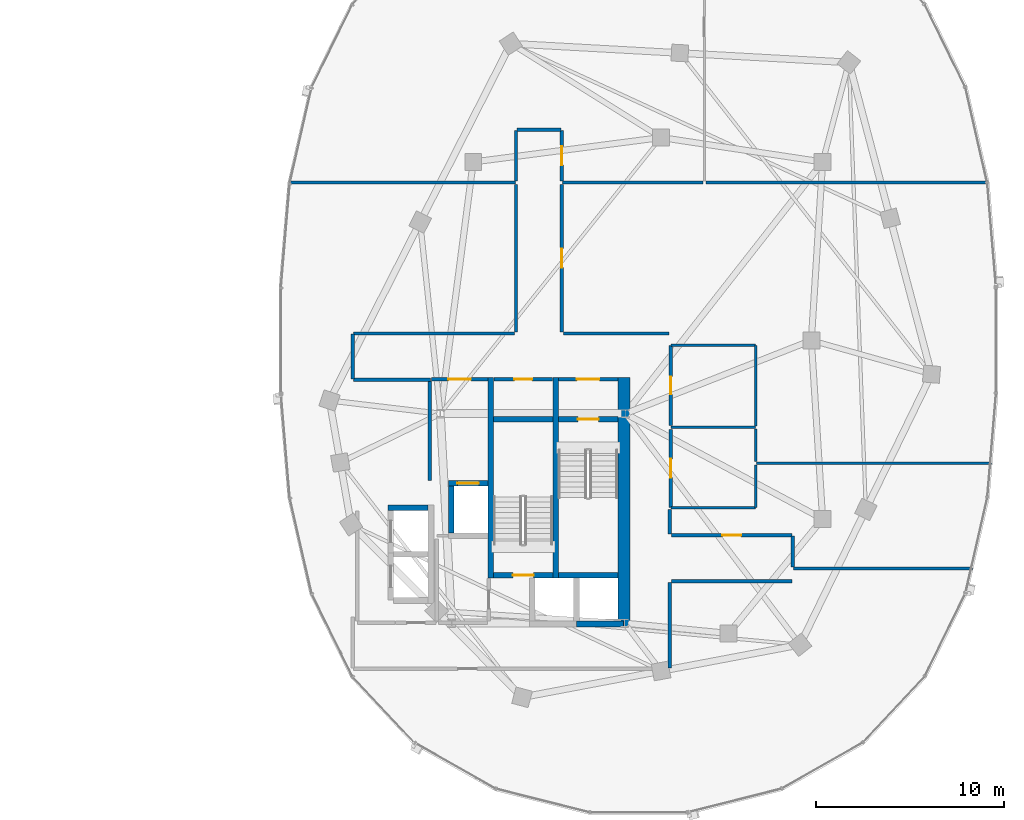
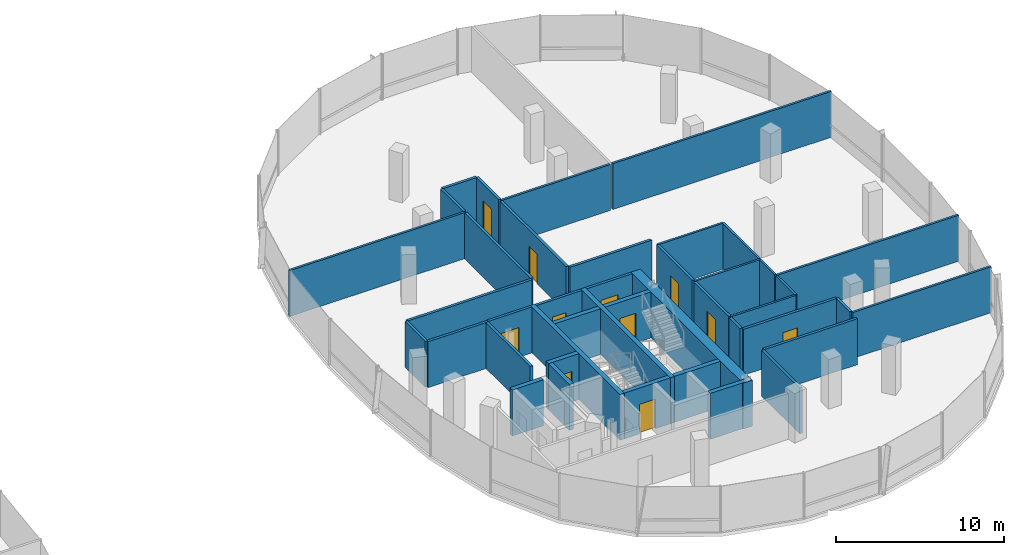
# One storey, part 17 of 25: 42 walls, 11 doors, 11 openings.
"""IFC4 building model written with IfcOpenShell, lengths in metres."""

from ifc_helpers import new_model, si_unit, direction, frame, frame_2d, origin, place, context, subcontext, project, spatial, rectangle, extrude, material, layer, layer_set, type_object, element, fill, save


model = new_model("IFC4")

# Units and contexts
model_context = context("Model", 3, precision=1e-05, world=origin(), true_north=direction((0.0, 1.0)))
body_context = subcontext(model_context, "Body", "Model", "MODEL_VIEW")
ifc_project = project(units=[si_unit("LENGTHUNIT", "METRE"), si_unit("AREAUNIT", "SQUARE_METRE"), si_unit("VOLUMEUNIT", "CUBIC_METRE"), si_unit("PLANEANGLEUNIT", "RADIAN"), si_unit("MASSUNIT", "GRAM", prefix="KILO"), si_unit("THERMODYNAMICTEMPERATUREUNIT", "KELVIN"), si_unit("POWERUNIT", "WATT")], contexts=[model_context])

# Site, building, storey
site_placement = place(None, origin())
site = spatial("IfcSite", under=ifc_project, at=site_placement, CompositionType="ELEMENT")
building_placement = place(site_placement, origin())
building = spatial("IfcBuilding", under=site, at=building_placement, Name="Cundina Bronze Exchange", CompositionType="ELEMENT")
storey_placement = place(building_placement, frame((0.0, 0.0, 202.60009765625)))
storey = spatial("IfcBuildingStorey", under=building, at=storey_placement, Name="L53", CompositionType="ELEMENT", Elevation=202.60009765625)

# Wall
ifc_material_1 = material(Name="Gypsum Fireboard Partition EI120")
ifc_layer_1 = layer(ifc_material_1, 0.179931640625, Name="Gypsum Fireboard Partition EI120")
ifc_layer_set_1 = layer_set([ifc_layer_1], Name="Gypsum Fireboard Partition EI120")
wall_type_1 = type_object("IfcWallType", Name="WL-COR-180", PredefinedType="PARTITIONING", material=ifc_layer_set_1)
wall_1_placement = place(storey_placement, frame((20.889892578125, -7.449951171875, 0.0), z_axis=(0.0, 0.0, 1.0), x_axis=(0.0, 1.0, 0.0)))
element("IfcWall", 1, at=wall_1_placement, inside=storey, type_object=wall_type_1, Name="L53 E Firefighting Lobby Side Wall", PredefinedType="PARTITIONING", context=body_context, shape_type="SweptSolid", body=[
    extrude(rectangle(XDim=5.300048828125, YDim=0.179931640625, at=frame_2d((2.64990234375, 0.0))), origin(), (0.0, 0.0, 1.0), 3.33984375),
])

# Wall, opening, door
wall_2_placement = place(storey_placement, frame((20.97998046875, -2.06005859375, 0.0), z_axis=(0.0, 0.0, 1.0), x_axis=(1.0, 0.0, 0.0)))
wall_2 = element("IfcWall", 2, at=wall_2_placement, inside=storey, type_object=wall_type_1, Name="L53 E Firefighting Lobby Exit Wall", PredefinedType="PARTITIONING", context=body_context, shape_type="SweptSolid", body=[
    extrude(rectangle(XDim=3.0, YDim=0.179931640625, at=frame_2d((1.5, 0.0))), origin(), (0.0, 0.0, 1.0), 3.33984375),
])
opening_1_placement = place(wall_2_placement, frame((0.89990234375, 0.0, 0.0)))
opening_1 = element("IfcOpeningElement", 3, at=opening_1_placement, cuts=wall_2, Name="Opening DF-01", PredefinedType="OPENING", context=body_context, shape_type="SweptSolid", body=[
    extrude(rectangle(XDim=1.199951171875, YDim=2.14990234375, at=frame_2d((0.60009765625, 1.074951171875))), frame((0.0, 0.099853515625, 0.0), z_axis=(0.0, -1.0, 0.0), x_axis=(1.0, 0.0, 0.0)), (0.0, 0.0, 1.0), 0.199951171875),
])
ifc_material_2 = material(Name="Steel ASTM A36 Painted", Category="steel")
door_type_1 = type_object("IfcDoorType", Name="DR-FFL-1200", OperationType="NOTDEFINED", PredefinedType="DOOR", material=ifc_material_2)
door_1_placement = place(opening_1_placement, origin())
door_1 = element("IfcDoor", 4, at=door_1_placement, inside=storey, type_object=door_type_1, Name="L53 E Firefighting Lobby Door", OperationType="SINGLE_SWING_LEFT", OverallHeight=2.14990234375, OverallWidth=1.199951171875, PredefinedType="DOOR", context=body_context, shape_type="SweptSolid", body=[
    extrude(rectangle(XDim=1.199951171875, YDim=2.14990234375, at=frame_2d((0.60009765625, 1.074951171875))), frame((0.0, 0.02490234375, 0.0), z_axis=(0.0, -1.0, 0.0), x_axis=(1.0, 0.0, 0.0)), (0.0, 0.0, 1.0), 0.050048828125),
])
fill(opening_1, door_1)

wall_3_placement = place(storey_placement, frame((27.739990234375, -2.06005859375, 0.0), z_axis=(0.0, 0.0, 1.0), x_axis=(1.0, 0.0, 0.0)))
wall_3 = element("IfcWall", 5, at=wall_3_placement, inside=storey, type_object=wall_type_1, Name="L53 E Stair Vestibule Exit Wall", PredefinedType="PARTITIONING", context=body_context, shape_type="SweptSolid", body=[
    extrude(rectangle(XDim=3.159912109375, YDim=0.179931640625, at=frame_2d((1.580078125, 0.0))), origin(), (0.0, 0.0, 1.0), 3.33984375),
])
opening_2_placement = place(wall_3_placement, frame((0.97998046875, 0.0, 0.0)))
opening_2 = element("IfcOpeningElement", 6, at=opening_2_placement, cuts=wall_3, Name="Opening DF-01", PredefinedType="OPENING", context=body_context, shape_type="SweptSolid", body=[
    extrude(rectangle(XDim=1.199951171875, YDim=2.14990234375, at=frame_2d((0.60009765625, 1.074951171875))), frame((0.0, 0.099853515625, 0.0), z_axis=(0.0, -1.0, 0.0), x_axis=(1.0, 0.0, 0.0)), (0.0, 0.0, 1.0), 0.199951171875),
])
door_2_placement = place(opening_2_placement, origin())
door_2 = element("IfcDoor", 7, at=door_2_placement, inside=storey, type_object=door_type_1, Name="L53 E Stair Vestibule Door", OperationType="SINGLE_SWING_RIGHT", OverallHeight=2.14990234375, OverallWidth=1.199951171875, PredefinedType="DOOR", context=body_context, shape_type="SweptSolid", body=[
    extrude(rectangle(XDim=1.199951171875, YDim=2.14990234375, at=frame_2d((0.60009765625, 1.074951171875))), frame((0.0, 0.02490234375, 0.0), z_axis=(0.0, -1.0, 0.0), x_axis=(1.0, 0.0, 0.0)), (0.0, 0.0, 1.0), 0.050048828125),
])
fill(opening_2, door_2)

wall_4_placement = place(storey_placement, frame((24.300048828125, -2.070068359375, 0.0), z_axis=(0.0, 0.0, 1.0), x_axis=(1.0, 0.0, 0.0)))
wall_4 = element("IfcWall", 8, at=wall_4_placement, inside=storey, type_object=wall_type_1, Name="L53 Interior Partition 049", PredefinedType="PARTITIONING", context=body_context, shape_type="SweptSolid", body=[
    extrude(rectangle(XDim=3.119873046875, YDim=0.179931640625, at=frame_2d((1.56005859375, 0.0))), origin(), (0.0, 0.0, 1.0), 3.33984375),
])
opening_3_placement = place(wall_4_placement, frame((1.0849609375, 0.0, 0.0)))
opening_3 = element("IfcOpeningElement", 9, at=opening_3_placement, cuts=wall_4, Name="Opening DW-01", PredefinedType="OPENING", context=body_context, shape_type="SweptSolid", body=[
    extrude(rectangle(XDim=0.949951171875, YDim=2.10009765625, at=frame_2d((0.47509765625, 1.050048828125))), frame((0.0, 0.099853515625, 0.0), z_axis=(0.0, -1.0, 0.0), x_axis=(1.0, 0.0, 0.0)), (0.0, 0.0, 1.0), 0.199951171875),
])
ifc_material_3 = material(Name="Solid Andean Oak Timber Grade A", Category="wood")
door_type_2 = type_object("IfcDoorType", Name="DR-WC-950", OperationType="NOTDEFINED", PredefinedType="DOOR", material=ifc_material_3)
door_3_placement = place(opening_3_placement, origin())
door_3 = element("IfcDoor", 10, at=door_3_placement, inside=storey, type_object=door_type_2, Name="L53 Interior Door 049", OperationType="SINGLE_SWING_RIGHT", OverallHeight=2.10009765625, OverallWidth=0.949951171875, PredefinedType="DOOR", context=body_context, shape_type="SweptSolid", body=[
    extrude(rectangle(XDim=0.949951171875, YDim=2.10009765625, at=frame_2d((0.47509765625, 1.050048828125))), frame((0.0, 0.02490234375, 0.0), z_axis=(0.0, -1.0, 0.0), x_axis=(1.0, 0.0, 0.0)), (0.0, 0.0, 1.0), 0.050048828125),
])
fill(opening_3, door_3)

wall_5_placement = place(storey_placement, frame((33.719970703125, -4.530029296875, 0.0), z_axis=(0.0, 0.0, 1.0), x_axis=(0.0, 1.0, 0.0)))
wall_5 = element("IfcWall", 11, at=wall_5_placement, inside=storey, type_object=wall_type_1, Name="L53 Interior Partition 057", PredefinedType="PARTITIONING", context=body_context, shape_type="SweptSolid", body=[
    extrude(rectangle(XDim=4.260009765625, YDim=0.179931640625, at=frame_2d((2.1298828125, 0.0))), origin(), (0.0, 0.0, 1.0), 3.33984375),
])
opening_4_placement = place(wall_5_placement, frame((1.655029296875, 0.0, 0.0)))
opening_4 = element("IfcOpeningElement", 12, at=opening_4_placement, cuts=wall_5, Name="Opening DW-01", PredefinedType="OPENING", context=body_context, shape_type="SweptSolid", body=[
    extrude(rectangle(XDim=0.949951171875, YDim=2.10009765625, at=frame_2d((0.47509765625, 1.050048828125))), frame((0.0, 0.099853515625, 0.0), z_axis=(0.0, -1.0, 0.0), x_axis=(1.0, 0.0, 0.0)), (0.0, 0.0, 1.0), 0.199951171875),
])
door_4_placement = place(opening_4_placement, origin())
door_4 = element("IfcDoor", 13, at=door_4_placement, inside=storey, type_object=door_type_2, Name="L53 Interior Door 057", OperationType="SINGLE_SWING_RIGHT", OverallHeight=2.10009765625, OverallWidth=0.949951171875, PredefinedType="DOOR", context=body_context, shape_type="SweptSolid", body=[
    extrude(rectangle(XDim=0.949951171875, YDim=2.10009765625, at=frame_2d((0.47509765625, 1.050048828125))), frame((0.0, 0.02490234375, 0.0), z_axis=(0.0, -1.0, 0.0), x_axis=(1.0, 0.0, 0.0)), (0.0, 0.0, 1.0), 0.050048828125),
])
fill(opening_4, door_4)

wall_6_placement = place(storey_placement, frame((33.719970703125, -8.889892578125, 0.0), z_axis=(0.0, 0.0, 1.0), x_axis=(0.0, 1.0, 0.0)))
wall_6 = element("IfcWall", 14, at=wall_6_placement, inside=storey, type_object=wall_type_1, Name="L53 Interior Partition 058", PredefinedType="PARTITIONING", context=body_context, shape_type="SweptSolid", body=[
    extrude(rectangle(XDim=4.159912109375, YDim=0.179931640625, at=frame_2d((2.080078125, 0.0))), origin(), (0.0, 0.0, 1.0), 3.33984375),
])
opening_5_placement = place(wall_6_placement, frame((1.580078125, 0.0, 0.0)))
opening_5 = element("IfcOpeningElement", 15, at=opening_5_placement, cuts=wall_6, Name="Opening DO-01", PredefinedType="OPENING", context=body_context, shape_type="SweptSolid", body=[
    extrude(rectangle(XDim=1.0, YDim=2.14990234375, at=frame_2d((0.5, 1.074951171875))), frame((0.0, 0.099853515625, 0.0), z_axis=(0.0, -1.0, 0.0), x_axis=(1.0, 0.0, 0.0)), (0.0, 0.0, 1.0), 0.199951171875),
])
door_type_3 = type_object("IfcDoorType", Name="DR-OFF-1000", OperationType="NOTDEFINED", PredefinedType="DOOR", material=ifc_material_3)
door_5_placement = place(opening_5_placement, origin())
door_5 = element("IfcDoor", 16, at=door_5_placement, inside=storey, type_object=door_type_3, Name="L53 Interior Door 058", OperationType="SINGLE_SWING_RIGHT", OverallHeight=2.14990234375, OverallWidth=1.0, PredefinedType="DOOR", context=body_context, shape_type="SweptSolid", body=[
    extrude(rectangle(XDim=1.0, YDim=2.14990234375, at=frame_2d((0.5, 1.074951171875))), frame((0.0, 0.02490234375, 0.0), z_axis=(0.0, -1.0, 0.0), x_axis=(1.0, 0.0, 0.0)), (0.0, 0.0, 1.0), 0.050048828125),
])
fill(opening_5, door_5)

# Walls
wall_7_placement = place(storey_placement, frame((25.39990234375, 0.3701171875, 0.0), z_axis=(0.0, 0.0, 1.0), x_axis=(-1.0, 0.0, 0.0)))
element("IfcWall", 17, at=wall_7_placement, inside=storey, type_object=wall_type_1, Name="L53 Interior Partition 065", PredefinedType="PARTITIONING", context=body_context, shape_type="SweptSolid", body=[
    extrude(rectangle(XDim=8.578369140625, YDim=0.179931640625, at=frame_2d((4.2890625, 0.0))), origin(), (0.0, 0.0, 1.0), 3.33984375),
])
wall_8_placement = place(storey_placement, frame((25.47998046875, 8.31005859375, 0.0), z_axis=(0.0, 0.0, 1.0), x_axis=(0.0, -1.0, 0.0)))
element("IfcWall", 18, at=wall_8_placement, inside=storey, type_object=wall_type_1, Name="L53 Interior Partition 066", PredefinedType="PARTITIONING", context=body_context, shape_type="SweptSolid", body=[
    extrude(rectangle(XDim=7.860107421875, YDim=0.179931640625, at=frame_2d((3.93017578125, 0.0))), origin(), (0.0, 0.0, 1.0), 3.33984375),
])
wall_9_placement = place(storey_placement, frame((33.75, -12.820068359375, 0.0), z_axis=(0.0, 0.0, 1.0), x_axis=(1.0, 0.0, 0.0)))
element("IfcWall", 19, at=wall_9_placement, inside=storey, type_object=wall_type_1, Name="L53 Interior Partition 067", PredefinedType="PARTITIONING", context=body_context, shape_type="SweptSolid", body=[
    extrude(rectangle(XDim=6.428466796875, YDim=0.179931640625, at=frame_2d((3.21435546875, 0.0))), origin(), (0.0, 0.0, 1.0), 3.33984375),
])
wall_10_placement = place(storey_placement, frame((33.669921875, -17.428466796875, 0.0), z_axis=(0.0, 0.0, 1.0), x_axis=(0.0, 1.0, 0.0)))
element("IfcWall", 20, at=wall_10_placement, inside=storey, type_object=wall_type_1, Name="L53 Interior Partition 068", PredefinedType="PARTITIONING", context=body_context, shape_type="SweptSolid", body=[
    extrude(rectangle(XDim=4.528564453125, YDim=0.179931640625, at=frame_2d((2.26416015625, 0.0))), origin(), (0.0, 0.0, 1.0), 3.33984375),
])
wall_11_placement = place(storey_placement, frame((16.821533203125, -2.10009765625, 0.0), z_axis=(0.0, 0.0, 1.0), x_axis=(1.0, 0.0, 0.0)))
element("IfcWall", 21, at=wall_11_placement, inside=storey, type_object=wall_type_1, Name="L53 Interior Partition 069", PredefinedType="PARTITIONING", context=body_context, shape_type="SweptSolid", body=[
    extrude(rectangle(XDim=4.098388671875, YDim=0.179931640625, at=frame_2d((2.04931640625, 0.0))), origin(), (0.0, 0.0, 1.0), 3.33984375),
])
wall_12_placement = place(storey_placement, frame((16.780029296875, 0.32861328125, 0.0), z_axis=(0.0, 0.0, 1.0), x_axis=(0.0, -1.0, 0.0)))
element("IfcWall", 22, at=wall_12_placement, inside=storey, type_object=wall_type_1, Name="L53 Interior Partition 071", PredefinedType="PARTITIONING", context=body_context, shape_type="SweptSolid", body=[
    extrude(rectangle(XDim=2.38720703125, YDim=0.179931640625, at=frame_2d((1.193603515625, 0.0))), origin(), (0.0, 0.0, 1.0), 3.33984375),
])

# Wall, opening, door
wall_13_placement = place(storey_placement, frame((40.178466796875, -10.3798828125, 0.0), z_axis=(0.0, 0.0, 1.0), x_axis=(-1.0, 0.0, 0.0)))
wall_13 = element("IfcWall", 23, at=wall_13_placement, inside=storey, type_object=wall_type_1, Name="L53 Interior Partition 072", PredefinedType="PARTITIONING", context=body_context, shape_type="SweptSolid", body=[
    extrude(rectangle(XDim=6.428466796875, YDim=0.179931640625, at=frame_2d((3.21435546875, 0.0))), origin(), (0.0, 0.0, 1.0), 3.33984375),
])
opening_6_placement = place(wall_13_placement, frame((2.714111328125, 0.0, 0.0)))
opening_6 = element("IfcOpeningElement", 24, at=opening_6_placement, cuts=wall_13, Name="Opening DO-01", PredefinedType="OPENING", context=body_context, shape_type="SweptSolid", body=[
    extrude(rectangle(XDim=1.0, YDim=2.14990234375, at=frame_2d((0.5, 1.074951171875))), frame((0.0, 0.099853515625, 0.0), z_axis=(0.0, -1.0, 0.0), x_axis=(1.0, 0.0, 0.0)), (0.0, 0.0, 1.0), 0.199951171875),
])
door_6_placement = place(opening_6_placement, origin())
door_6 = element("IfcDoor", 25, at=door_6_placement, inside=storey, type_object=door_type_3, Name="L53 Interior Door 072", OperationType="SINGLE_SWING_RIGHT", OverallHeight=2.14990234375, OverallWidth=1.0, PredefinedType="DOOR", context=body_context, shape_type="SweptSolid", body=[
    extrude(rectangle(XDim=1.0, YDim=2.14990234375, at=frame_2d((0.5, 1.074951171875))), frame((0.0, 0.02490234375, 0.0), z_axis=(0.0, -1.0, 0.0), x_axis=(1.0, 0.0, 0.0)), (0.0, 0.0, 1.0), 0.050048828125),
])
fill(opening_6, door_6)

# Walls
wall_14_placement = place(storey_placement, frame((40.219970703125, -12.050048828125, 0.0), z_axis=(0.0, 0.0, 1.0), x_axis=(0.0, 1.0, 0.0)))
element("IfcWall", 26, at=wall_14_placement, inside=storey, type_object=wall_type_1, Name="L53 Interior Partition 073", PredefinedType="PARTITIONING", context=body_context, shape_type="SweptSolid", body=[
    extrude(rectangle(XDim=1.628662109375, YDim=0.179931640625, at=frame_2d((0.814453125, 0.0))), origin(), (0.0, 0.0, 1.0), 3.33984375),
])
wall_15_placement = place(storey_placement, frame((33.669921875, -10.300048828125, 0.0), z_axis=(0.0, 0.0, 1.0), x_axis=(0.0, 1.0, 0.0)))
element("IfcWall", 27, at=wall_15_placement, inside=storey, type_object=wall_type_1, Name="L53 Interior Partition 074", PredefinedType="PARTITIONING", context=body_context, shape_type="SweptSolid", body=[
    extrude(rectangle(XDim=1.298583984375, YDim=0.179931640625, at=frame_2d((0.6494140625, 0.0))), origin(), (0.0, 0.0, 1.0), 3.33984375),
])

# Wall, opening, door
wall_16_placement = place(storey_placement, frame((27.919921875, 0.449951171875, 0.0), z_axis=(0.0, 0.0, 1.0), x_axis=(0.0, 1.0, 0.0)))
wall_16 = element("IfcWall", 28, at=wall_16_placement, inside=storey, type_object=wall_type_1, Name="L53 Interior Partition 075", PredefinedType="PARTITIONING", context=body_context, shape_type="SweptSolid", body=[
    extrude(rectangle(XDim=7.860107421875, YDim=0.179931640625, at=frame_2d((3.93017578125, 0.0))), origin(), (0.0, 0.0, 1.0), 3.33984375),
])
opening_7_placement = place(wall_16_placement, frame((3.429931640625, 0.0, 0.0)))
opening_7 = element("IfcOpeningElement", 29, at=opening_7_placement, cuts=wall_16, Name="Opening DO-01", PredefinedType="OPENING", context=body_context, shape_type="SweptSolid", body=[
    extrude(rectangle(XDim=1.0, YDim=2.14990234375, at=frame_2d((0.5, 1.074951171875))), frame((0.0, 0.099853515625, 0.0), z_axis=(0.0, -1.0, 0.0), x_axis=(1.0, 0.0, 0.0)), (0.0, 0.0, 1.0), 0.199951171875),
])
door_7_placement = place(opening_7_placement, origin())
door_7 = element("IfcDoor", 30, at=door_7_placement, inside=storey, type_object=door_type_3, Name="L53 Interior Door 075", OperationType="SINGLE_SWING_LEFT", OverallHeight=2.14990234375, OverallWidth=1.0, PredefinedType="DOOR", context=body_context, shape_type="SweptSolid", body=[
    extrude(rectangle(XDim=1.0, YDim=2.14990234375, at=frame_2d((0.5, 1.074951171875))), frame((0.0, 0.02490234375, 0.0), z_axis=(0.0, -1.0, 0.0), x_axis=(1.0, 0.0, 0.0)), (0.0, 0.0, 1.0), 0.050048828125),
])
fill(opening_7, door_7)

# Wall
wall_17_placement = place(storey_placement, frame((33.62841796875, 0.3701171875, 0.0), z_axis=(0.0, 0.0, 1.0), x_axis=(-1.0, 0.0, 0.0)))
element("IfcWall", 31, at=wall_17_placement, inside=storey, type_object=wall_type_1, Name="L53 Interior Partition 076", PredefinedType="PARTITIONING", context=body_context, shape_type="SweptSolid", body=[
    extrude(rectangle(XDim=5.62841796875, YDim=0.179931640625, at=frame_2d((2.814208984375, 0.0))), origin(), (0.0, 0.0, 1.0), 3.33984375),
])

# Wall, opening, door
wall_18_placement = place(storey_placement, frame((27.919921875, 8.489990234375, 0.0), z_axis=(0.0, 0.0, 1.0), x_axis=(0.0, 1.0, 0.0)))
wall_18 = element("IfcWall", 32, at=wall_18_placement, inside=storey, type_object=wall_type_1, Name="L53 Interior Partition 077", PredefinedType="PARTITIONING", context=body_context, shape_type="SweptSolid", body=[
    extrude(rectangle(XDim=2.6884765625, YDim=0.179931640625, at=frame_2d((1.34423828125, 0.0))), origin(), (0.0, 0.0, 1.0), 3.33984375),
])
opening_8_placement = place(wall_18_placement, frame((0.84423828125, 0.0, 0.0)))
opening_8 = element("IfcOpeningElement", 33, at=opening_8_placement, cuts=wall_18, Name="Opening DO-01", PredefinedType="OPENING", context=body_context, shape_type="SweptSolid", body=[
    extrude(rectangle(XDim=1.0, YDim=2.14990234375, at=frame_2d((0.5, 1.074951171875))), frame((0.0, 0.099853515625, 0.0), z_axis=(0.0, -1.0, 0.0), x_axis=(1.0, 0.0, 0.0)), (0.0, 0.0, 1.0), 0.199951171875),
])
door_8_placement = place(opening_8_placement, origin())
door_8 = element("IfcDoor", 34, at=door_8_placement, inside=storey, type_object=door_type_3, Name="L53 Interior Door 077", OperationType="SINGLE_SWING_RIGHT", OverallHeight=2.14990234375, OverallWidth=1.0, PredefinedType="DOOR", context=body_context, shape_type="SweptSolid", body=[
    extrude(rectangle(XDim=1.0, YDim=2.14990234375, at=frame_2d((0.5, 1.074951171875))), frame((0.0, 0.02490234375, 0.0), z_axis=(0.0, -1.0, 0.0), x_axis=(1.0, 0.0, 0.0)), (0.0, 0.0, 1.0), 0.050048828125),
])
fill(opening_8, door_8)

# Walls
wall_19_placement = place(storey_placement, frame((25.47998046875, 11.178466796875, 0.0), z_axis=(0.0, 0.0, 1.0), x_axis=(0.0, -1.0, 0.0)))
element("IfcWall", 35, at=wall_19_placement, inside=storey, type_object=wall_type_1, Name="L53 Interior Partition 078", PredefinedType="PARTITIONING", context=body_context, shape_type="SweptSolid", body=[
    extrude(rectangle(XDim=2.6884765625, YDim=0.179931640625, at=frame_2d((1.34423828125, 0.0))), origin(), (0.0, 0.0, 1.0), 3.33984375),
])
wall_20_placement = place(storey_placement, frame((27.87841796875, 11.219970703125, 0.0), z_axis=(0.0, 0.0, 1.0), x_axis=(-1.0, 0.0, 0.0)))
element("IfcWall", 36, at=wall_20_placement, inside=storey, type_object=wall_type_1, Name="L53 Interior Partition 079", PredefinedType="PARTITIONING", context=body_context, shape_type="SweptSolid", body=[
    extrude(rectangle(XDim=2.35693359375, YDim=0.179931640625, at=frame_2d((1.178466796875, 0.0))), origin(), (0.0, 0.0, 1.0), 3.33984375),
])
ifc_material_4 = material(Name="Concrete C50/60", Category="concrete")
ifc_layer_2 = layer(ifc_material_4, 0.64990234375, Name="Concrete C50/60", Category="concrete")
ifc_layer_set_2 = layer_set([ifc_layer_2], Name="Concrete C50/60")
wall_type_2 = type_object("IfcWallType", Name="WL-CORE-650", PredefinedType="SHEAR", material=ifc_layer_set_2)
wall_21_placement = place(storey_placement, frame((31.22509765625, -15.300048828125, 0.0), z_axis=(0.0, 0.0, 1.0), x_axis=(0.0, 1.0, 0.0)))
element("IfcWall", 37, at=wall_21_placement, inside=storey, type_object=wall_type_2, Name="L53 E Primary Core Shear Spine Wall", PredefinedType="SHEAR", context=body_context, shape_type="SweptSolid", body=[
    extrude(rectangle(XDim=13.330078125, YDim=0.64990234375, at=frame_2d((6.6650390625, 0.0))), origin(), (0.0, 0.0, 1.0), 3.33984375),
])
ifc_layer_3 = layer(ifc_material_4, 0.300048828125, Name="Concrete C50/60", Category="concrete")
ifc_layer_set_3 = layer_set([ifc_layer_3], Name="Concrete C50/60")
wall_type_3 = type_object("IfcWallType", Name="WL-SHFT-300", PredefinedType="SHEAR", material=ifc_layer_set_3)
for number, where, z_axis, x_axis, name in (
    (38, (27.590087890625, -12.64990234375, 0.0), (0.0, 0.0, 1.0), (0.0, 1.0, 0.0), "L53 E Stair Shaft Dividing Shear Wall"),
    (39, (24.1298828125, -12.64990234375, 0.0), (0.0, 0.0, 1.0), (0.0, 1.0, 0.0), "L53 E Stair 2 East Shear Wall"),
):
    element("IfcWall", number, at=place(storey_placement, frame(where, z_axis=z_axis, x_axis=x_axis)), inside=storey, type_object=wall_type_3, Name=name, PredefinedType="SHEAR", context=body_context, shape_type="SweptSolid", body=[
        extrude(rectangle(XDim=10.679931640625, YDim=0.300048828125, at=frame_2d((5.33984375, 0.0))), origin(), (0.0, 0.0, 1.0), 3.33984375),
    ])

# Wall, opening, door
wall_22_placement = place(storey_placement, frame((27.739990234375, -4.199951171875, 0.0), z_axis=(0.0, 0.0, 1.0), x_axis=(1.0, 0.0, 0.0)))
wall_22 = element("IfcWall", 40, at=wall_22_placement, inside=storey, type_object=wall_type_3, Name="L53 Stair E1 Landing Wall", PredefinedType="SHEAR", context=body_context, shape_type="SweptSolid", body=[
    extrude(rectangle(XDim=3.159912109375, YDim=0.300048828125, at=frame_2d((1.580078125, 0.0))), origin(), (0.0, 0.0, 1.0), 3.33984375),
])
opening_9_placement = place(wall_22_placement, frame((1.030029296875, 0.0, 0.0)))
opening_9 = element("IfcOpeningElement", 41, at=opening_9_placement, cuts=wall_22, Name="Opening DS-01", PredefinedType="OPENING", context=body_context, shape_type="SweptSolid", body=[
    extrude(rectangle(XDim=1.10009765625, YDim=2.14990234375, at=frame_2d((0.550048828125, 1.074951171875))), frame((0.0, 0.159912109375, 0.0), z_axis=(0.0, -1.0, 0.0), x_axis=(1.0, 0.0, 0.0)), (0.0, 0.0, 1.0), 0.320068359375),
])
door_type_4 = type_object("IfcDoorType", Name="DR-STR-1100", OperationType="NOTDEFINED", PredefinedType="DOOR", material=ifc_material_2)
door_9_placement = place(opening_9_placement, origin())
door_9 = element("IfcDoor", 42, at=door_9_placement, inside=storey, type_object=door_type_4, Name="L53 Smokeproof Stair E1 Door", OperationType="SINGLE_SWING_LEFT", OverallHeight=2.14990234375, OverallWidth=1.10009765625, PredefinedType="DOOR", context=body_context, shape_type="SweptSolid", body=[
    extrude(rectangle(XDim=1.10009765625, YDim=2.14990234375, at=frame_2d((0.550048828125, 1.074951171875))), frame((0.0, 0.02490234375, 0.0), z_axis=(0.0, -1.0, 0.0), x_axis=(1.0, 0.0, 0.0)), (0.0, 0.0, 1.0), 0.050048828125),
])
fill(opening_9, door_9)

# Wall
wall_23_placement = place(storey_placement, frame((27.739990234375, -12.5, 0.0), z_axis=(0.0, 0.0, 1.0), x_axis=(1.0, 0.0, 0.0)))
element("IfcWall", 43, at=wall_23_placement, inside=storey, type_object=wall_type_3, Name="L53 Stair E1 Far Shaft Wall", PredefinedType="SHEAR", context=body_context, shape_type="SweptSolid", body=[
    extrude(rectangle(XDim=3.159912109375, YDim=0.300048828125, at=frame_2d((1.580078125, 0.0))), origin(), (0.0, 0.0, 1.0), 3.33984375),
])

# Wall, opening, door
wall_24_placement = place(storey_placement, frame((24.280029296875, -12.5, 0.0), z_axis=(0.0, 0.0, 1.0), x_axis=(1.0, 0.0, 0.0)))
wall_24 = element("IfcWall", 44, at=wall_24_placement, inside=storey, type_object=wall_type_3, Name="L53 Stair E2 Landing Wall", PredefinedType="SHEAR", context=body_context, shape_type="SweptSolid", body=[
    extrude(rectangle(XDim=3.159912109375, YDim=0.300048828125, at=frame_2d((1.580078125, 0.0))), origin(), (0.0, 0.0, 1.0), 3.33984375),
])
opening_10_placement = place(wall_24_placement, frame((1.030029296875, 0.0, 0.0)))
opening_10 = element("IfcOpeningElement", 45, at=opening_10_placement, cuts=wall_24, Name="Opening DS-01", PredefinedType="OPENING", context=body_context, shape_type="SweptSolid", body=[
    extrude(rectangle(XDim=1.10009765625, YDim=2.14990234375, at=frame_2d((0.550048828125, 1.074951171875))), frame((0.0, 0.159912109375, 0.0), z_axis=(0.0, -1.0, 0.0), x_axis=(1.0, 0.0, 0.0)), (0.0, 0.0, 1.0), 0.320068359375),
])
door_10_placement = place(opening_10_placement, origin())
door_10 = element("IfcDoor", 46, at=door_10_placement, inside=storey, type_object=door_type_4, Name="L53 Smokeproof Stair E2 Door", OperationType="SINGLE_SWING_RIGHT", OverallHeight=2.14990234375, OverallWidth=1.10009765625, PredefinedType="DOOR", context=body_context, shape_type="SweptSolid", body=[
    extrude(rectangle(XDim=1.10009765625, YDim=2.14990234375, at=frame_2d((0.550048828125, 1.074951171875))), frame((0.0, 0.02490234375, 0.0), z_axis=(0.0, -1.0, 0.0), x_axis=(1.0, 0.0, 0.0)), (0.0, 0.0, 1.0), 0.050048828125),
])
fill(opening_10, door_10)

# Wall
wall_25_placement = place(storey_placement, frame((24.280029296875, -4.199951171875, 0.0), z_axis=(0.0, 0.0, 1.0), x_axis=(1.0, 0.0, 0.0)))
element("IfcWall", 47, at=wall_25_placement, inside=storey, type_object=wall_type_3, Name="L53 Stair E2 Far Shaft Wall", PredefinedType="SHEAR", context=body_context, shape_type="SweptSolid", body=[
    extrude(rectangle(XDim=3.159912109375, YDim=0.300048828125, at=frame_2d((1.580078125, 0.0))), origin(), (0.0, 0.0, 1.0), 3.33984375),
])

# Wall, opening, door
wall_26_placement = place(storey_placement, frame((21.8798828125, -7.60009765625, 0.0), z_axis=(0.0, 0.0, 1.0), x_axis=(1.0, 0.0, 0.0)))
wall_26 = element("IfcWall", 48, at=wall_26_placement, inside=storey, type_object=wall_type_3, Name="L53 FFL-E Hoistway Front Wall", PredefinedType="SHEAR", context=body_context, shape_type="SweptSolid", body=[
    extrude(rectangle(XDim=2.10009765625, YDim=0.300048828125, at=frame_2d((1.050048828125, 0.0))), origin(), (0.0, 0.0, 1.0), 3.33984375),
])
opening_11_placement = place(wall_26_placement, frame((0.47509765625, 0.0, 0.0)))
opening_11 = element("IfcOpeningElement", 49, at=opening_11_placement, cuts=wall_26, Name="Opening LD-01", PredefinedType="OPENING", context=body_context, shape_type="SweptSolid", body=[
    extrude(rectangle(XDim=1.14990234375, YDim=2.199951171875, at=frame_2d((0.574951171875, 1.10009765625))), frame((0.0, 0.159912109375, 0.0), z_axis=(0.0, -1.0, 0.0), x_axis=(1.0, 0.0, 0.0)), (0.0, 0.0, 1.0), 0.320068359375),
])
door_type_5 = type_object("IfcDoorType", Name="DR-LND-1150", OperationType="NOTDEFINED", PredefinedType="TRAPDOOR", material=ifc_material_2)
door_11_placement = place(opening_11_placement, origin())
door_11 = element("IfcDoor", 50, at=door_11_placement, inside=storey, type_object=door_type_5, Name="L53 FFL-E Sliding Landing Door", OperationType="SLIDING_TO_LEFT", OverallHeight=2.199951171875, OverallWidth=1.14990234375, PredefinedType="TRAPDOOR", context=body_context, shape_type="SweptSolid", body=[
    extrude(rectangle(XDim=1.14990234375, YDim=2.199951171875, at=frame_2d((0.574951171875, 1.10009765625))), frame((0.0, 0.02490234375, 0.0), z_axis=(0.0, -1.0, 0.0), x_axis=(1.0, 0.0, 0.0)), (0.0, 0.0, 1.0), 0.050048828125),
])
fill(opening_11, door_11)

# Walls
for number, where, z_axis, x_axis, name in (
    (51, (22.030029296875, -10.25, 0.0), (0.0, 0.0, 1.0), (0.0, 1.0, 0.0), "L53 FFL-E Hoistway Side Wall"),
    (52, (28.699951171875, -15.10009765625, 0.0), (0.0, 0.0, 1.0), (1.0, 0.0, 0.0), "L53 PH-E1 Hoistway Front Wall"),
):
    element("IfcWall", number, at=place(storey_placement, frame(where, z_axis=z_axis, x_axis=x_axis)), inside=storey, type_object=wall_type_3, Name=name, PredefinedType="SHEAR", context=body_context, shape_type="SweptSolid", body=[
        extrude(rectangle(XDim=2.5, YDim=0.300048828125, at=frame_2d((1.25, 0.0))), origin(), (0.0, 0.0, 1.0), 3.33984375),
    ])
wall_27_placement = place(storey_placement, frame((18.64990234375, -8.89990234375, 0.0), z_axis=(0.0, 0.0, 1.0), x_axis=(1.0, 0.0, 0.0)))
element("IfcWall", 53, at=wall_27_placement, inside=storey, type_object=wall_type_3, Name="L53 E Passenger Bank North Cap Wall", PredefinedType="SHEAR", context=body_context, shape_type="SweptSolid", body=[
    extrude(rectangle(XDim=2.150146484375, YDim=0.300048828125, at=frame_2d((1.0751953125, 0.0))), origin(), (0.0, 0.0, 1.0), 3.33984375),
])
ifc_material_5 = material(Name="Gypsum Acoustic Partition EI60")
ifc_layer_4 = layer(ifc_material_5, 0.14990234375, Name="Gypsum Acoustic Partition EI60")
ifc_layer_set_4 = layer_set([ifc_layer_4], Name="Gypsum Acoustic Partition EI60")
wall_type_4 = type_object("IfcWallType", Name="WL-TEN-150", PredefinedType="PARTITIONING", material=ifc_layer_set_4)
wall_28_placement = place(storey_placement, frame((13.370361328125, 8.39990234375, 0.0), z_axis=(0.0, 0.0, 1.0), x_axis=(1.0, 0.0, 0.0)))
element("IfcWall", 54, at=wall_28_placement, inside=storey, type_object=wall_type_4, Name="L53 Interior Partition 059", PredefinedType="PARTITIONING", context=body_context, shape_type="SweptSolid", body=[
    extrude(rectangle(XDim=12.07958984375, YDim=0.14990234375, at=frame_2d((6.039794921875, 0.0))), origin(), (0.0, 0.0, 1.0), 3.33984375),
])
wall_29_placement = place(storey_placement, frame((27.949951171875, 8.39990234375, 0.0), z_axis=(0.0, 0.0, 1.0), x_axis=(1.0, 0.0, 0.0)))
element("IfcWall", 55, at=wall_29_placement, inside=storey, type_object=wall_type_4, Name="L53 Interior Partition 060", PredefinedType="PARTITIONING", context=body_context, shape_type="SweptSolid", body=[
    extrude(rectangle(XDim=7.47509765625, YDim=0.14990234375, at=frame_2d((3.737548828125, 0.0))), origin(), (0.0, 0.0, 1.0), 3.33984375),
])
wall_30_placement = place(storey_placement, frame((35.594970703125, 8.39990234375, 0.0), z_axis=(0.0, 0.0, 1.0), x_axis=(1.0, 0.0, 0.0)))
element("IfcWall", 56, at=wall_30_placement, inside=storey, type_object=wall_type_4, Name="L53 Interior Partition 061", PredefinedType="PARTITIONING", context=body_context, shape_type="SweptSolid", body=[
    extrude(rectangle(XDim=15.03466796875, YDim=0.14990234375, at=frame_2d((7.517333984375, 0.0))), origin(), (0.0, 0.0, 1.0), 3.33984375),
])
wall_31_placement = place(storey_placement, frame((38.27001953125, -6.5400390625, 0.0), z_axis=(0.0, 0.0, 1.0), x_axis=(1.0, 0.0, 0.0)))
element("IfcWall", 57, at=wall_31_placement, inside=storey, type_object=wall_type_4, Name="L53 Interior Partition 062", PredefinedType="PARTITIONING", context=body_context, shape_type="SweptSolid", body=[
    extrude(rectangle(XDim=12.518310546875, YDim=0.14990234375, at=frame_2d((6.25927734375, 0.0))), origin(), (0.0, 0.0, 1.0), 3.33984375),
])
wall_32_placement = place(storey_placement, frame((40.25, -12.139892578125, 0.0), z_axis=(0.0, 0.0, 1.0), x_axis=(1.0, 0.0, 0.0)))
element("IfcWall", 58, at=wall_32_placement, inside=storey, type_object=wall_type_4, Name="L53 Interior Partition 063", PredefinedType="PARTITIONING", context=body_context, shape_type="SweptSolid", body=[
    extrude(rectangle(XDim=9.52294921875, YDim=0.14990234375, at=frame_2d((4.761474609375, 0.0))), origin(), (0.0, 0.0, 1.0), 3.33984375),
])
ifc_material_6 = material(Name="Moisture-Resistant Masonry Block Grade M15", Category="masonry")
ifc_layer_5 = layer(ifc_material_6, 0.139892578125, Name="Moisture-Resistant Masonry Block Grade M15", Category="masonry")
ifc_layer_set_5 = layer_set([ifc_layer_5], Name="Moisture-Resistant Masonry Block Grade M15")
wall_type_5 = type_object("IfcWallType", Name="WL-WET-140", PredefinedType="PARTITIONING", material=ifc_layer_set_5)
wall_33_placement = place(storey_placement, frame((38.239990234375, -8.889892578125, 0.0), z_axis=(0.0, 0.0, 1.0), x_axis=(0.0, 1.0, 0.0)))
element("IfcWall", 59, at=wall_33_placement, inside=storey, type_object=wall_type_5, Name="L53 Interior Partition 051", PredefinedType="PARTITIONING", context=body_context, shape_type="SweptSolid", body=[
    extrude(rectangle(XDim=2.264892578125, YDim=0.139892578125, at=frame_2d((1.13232421875, 0.0))), origin(), (0.0, 0.0, 1.0), 3.33984375),
])
wall_34_placement = place(storey_placement, frame((38.239990234375, -6.455078125, 0.0), z_axis=(0.0, 0.0, 1.0), x_axis=(0.0, 1.0, 0.0)))
element("IfcWall", 60, at=wall_34_placement, inside=storey, type_object=wall_type_5, Name="L53 Interior Partition 052", PredefinedType="PARTITIONING", context=body_context, shape_type="SweptSolid", body=[
    extrude(rectangle(XDim=1.739990234375, YDim=0.139892578125, at=frame_2d((0.8701171875, 0.0))), origin(), (0.0, 0.0, 1.0), 3.33984375),
])
wall_35_placement = place(storey_placement, frame((38.239990234375, -4.544921875, 0.0), z_axis=(0.0, 0.0, 1.0), x_axis=(0.0, 1.0, 0.0)))
element("IfcWall", 61, at=wall_35_placement, inside=storey, type_object=wall_type_5, Name="L53 Interior Partition 053", PredefinedType="PARTITIONING", context=body_context, shape_type="SweptSolid", body=[
    extrude(rectangle(XDim=4.27490234375, YDim=0.139892578125, at=frame_2d((2.137451171875, 0.0))), origin(), (0.0, 0.0, 1.0), 3.33984375),
])
for number, where, z_axis, x_axis, name in (
    (62, (33.739990234375, -0.25, 0.0), (0.0, 0.0, 1.0), (1.0, 0.0, 0.0), "L53 Interior Partition 054"),
    (63, (33.739990234375, -4.6298828125, 0.0), (0.0, 0.0, 1.0), (1.0, 0.0, 0.0), "L53 Interior Partition 055"),
    (64, (33.739990234375, -8.909912109375, 0.0), (0.0, 0.0, 1.0), (1.0, 0.0, 0.0), "L53 Interior Partition 056"),
):
    element("IfcWall", number, at=place(storey_placement, frame(where, z_axis=z_axis, x_axis=x_axis)), inside=storey, type_object=wall_type_5, Name=name, PredefinedType="PARTITIONING", context=body_context, shape_type="SweptSolid", body=[
        extrude(rectangle(XDim=4.47998046875, YDim=0.139892578125, at=frame_2d((2.239990234375, 0.0))), origin(), (0.0, 0.0, 1.0), 3.33984375),
    ])

save(model, "model.ifc")
